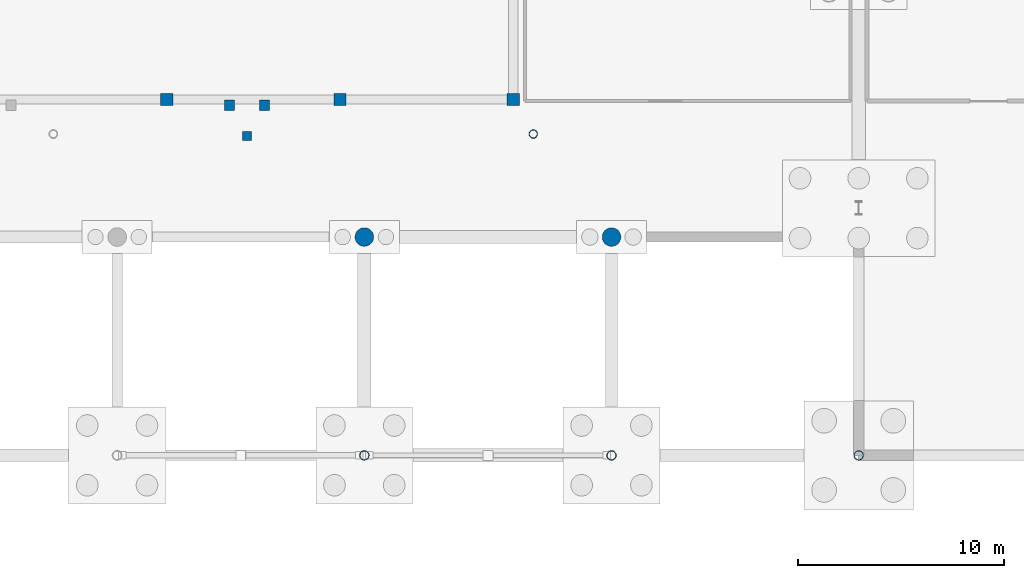
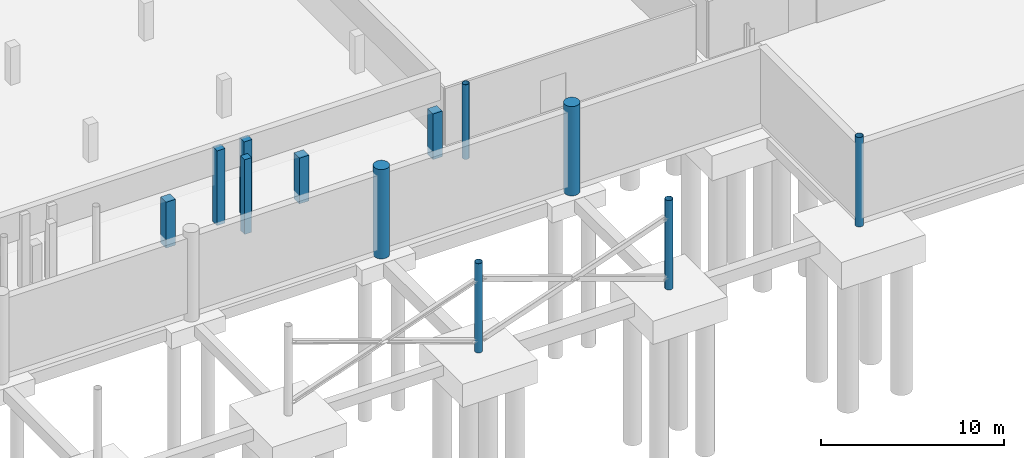
# One storey, part 13 of 42: 12 columns.
"""IFC4 building model written with IfcOpenShell, lengths in metres."""

from ifc_helpers import new_model, si_unit, direction, frame, origin, origin_2d, place, context, subcontext, project, spatial, rectangle, circle, hollow_circle, extrude, material, material_profile, profile_set, type_object, element, save


model = new_model("IFC4")

# Units and contexts
model_context = context("Model", 3, precision=1e-05, world=origin(), true_north=direction((0.0, 1.0)))
body_context = subcontext(model_context, "Body", "Model", "MODEL_VIEW")
ifc_project = project(units=[si_unit("LENGTHUNIT", "METRE"), si_unit("AREAUNIT", "SQUARE_METRE"), si_unit("VOLUMEUNIT", "CUBIC_METRE"), si_unit("PLANEANGLEUNIT", "RADIAN"), si_unit("MASSUNIT", "GRAM", prefix="KILO"), si_unit("THERMODYNAMICTEMPERATUREUNIT", "KELVIN"), si_unit("POWERUNIT", "WATT")], contexts=[model_context])

# Site, building, storey
site_placement = place(None, origin())
site = spatial("IfcSite", under=ifc_project, at=site_placement, CompositionType="ELEMENT")
building_placement = place(site_placement, origin())
building = spatial("IfcBuilding", under=site, at=building_placement, Name="Solmara Park Aquatics Centre", CompositionType="ELEMENT")
storey_placement = place(building_placement, frame((0.0, 0.0, -5.39990234375)))
storey = spatial("IfcBuildingStorey", under=building, at=storey_placement, Name="B1", CompositionType="ELEMENT", Elevation=-5.39990234375)

# Columns
ifc_material_1 = material(Name="Structural Steel S355", Category="steel")
ifc_material_profile_1 = material_profile(ifc_material_1, hollow_circle(Radius=0.203125, WallThickness=0.01611328125, at=origin_2d()), Name="CHS 406.4x16")
ifc_profile_set_1 = profile_set([ifc_material_profile_1], Name="Structural Steel S355")
column_type_1 = type_object("IfcColumnType", Name="STR-COL-CHS406", PredefinedType="COLUMN", material=ifc_profile_set_1)
column_1_placement = place(storey_placement, frame((80.800048828125, 28.199951171875, 0.0), z_axis=(0.0, 0.0, 1.0), x_axis=(1.0, 0.0, 0.0)))
element("IfcColumn", 1, at=column_1_placement, inside=storey, type_object=column_type_1, Name="Upper Stand Front Column B1 S2-2", PredefinedType="COLUMN", context=body_context, shape_type="SweptSolid", body=[
    extrude(hollow_circle(Radius=0.203125, WallThickness=0.01611328125, at=origin_2d()), origin(), (0.0, 0.0, 1.0), 4.97998046875),
])
ifc_material_profile_2 = material_profile(ifc_material_1, hollow_circle(Radius=0.228515625, WallThickness=0.01611328125, at=origin_2d()), Name="CHS 457x16")
ifc_profile_set_2 = profile_set([ifc_material_profile_2], Name="Structural Steel S355")
column_type_2 = type_object("IfcColumnType", Name="STR-COL-CHS457", PredefinedType="COLUMN", material=ifc_profile_set_2)
for number, where, z_axis, x_axis, name in (
    (2, (72.60009765625, 12.60009765625, -0.550048828125), (0.0, 0.0, 1.0), (1.0, 0.0, 0.0), "Column B1-0050"),
    (3, (84.60009765625, 12.60009765625, -0.550048828125), (0.0, 0.0, 1.0), (1.0, 0.0, 0.0), "Column B1-0058"),
    (4, (96.60009765625, 12.60009765625, -0.550048828125), (0.0, 0.0, 1.0), (1.0, 0.0, 0.0), "Column B1-0066"),
):
    element("IfcColumn", number, at=place(storey_placement, frame(where, z_axis=z_axis, x_axis=x_axis)), inside=storey, type_object=column_type_2, Name=name, PredefinedType="COLUMN", context=body_context, shape_type="SweptSolid", body=[
        extrude(hollow_circle(Radius=0.228515625, WallThickness=0.01611328125, at=origin_2d()), origin(), (0.0, 0.0, 1.0), 5.949951171875),
    ])
ifc_material_2 = material(Name="Concrete C40/50", Category="concrete")
ifc_material_profile_3 = material_profile(ifc_material_2, rectangle(XDim=0.449951171875, YDim=0.449951171875, at=origin_2d()), Name="RC 450x450")
ifc_profile_set_3 = profile_set([ifc_material_profile_3], Name="Concrete C40/50")
column_type_3 = type_object("IfcColumnType", Name="STR-COL-RC450", PredefinedType="COLUMN", material=ifc_profile_set_3)
column_2_placement = place(storey_placement, frame((66.89990234375, 28.10009765625, 0.0), z_axis=(0.0, 0.0, 1.0), x_axis=(1.0, 0.0, 0.0)))
element("IfcColumn", 5, at=column_2_placement, inside=storey, type_object=column_type_3, Name="Vomitory Stair VS-04 Support Column B1-3", PredefinedType="COLUMN", context=body_context, shape_type="SweptSolid", body=[
    extrude(rectangle(XDim=0.449951171875, YDim=0.449951171875, at=origin_2d()), origin(), (0.0, 0.0, 1.0), 4.97998046875),
])
ifc_material_profile_4 = material_profile(ifc_material_2, rectangle(XDim=0.5, YDim=0.5, at=origin_2d()), Name="RC 500x500")
ifc_profile_set_4 = profile_set([ifc_material_profile_4], Name="Concrete C40/50")
column_type_4 = type_object("IfcColumnType", Name="STR-COL-RC500", PredefinedType="COLUMN", material=ifc_profile_set_4)
for number, where, z_axis, x_axis, name in (
    (6, (66.050048828125, 29.60009765625, 0.0), (0.0, 0.0, 1.0), (1.0, 0.0, 0.0), "Vomitory B1 Support Column 07"),
    (7, (67.75, 29.60009765625, 0.0), (0.0, 0.0, 1.0), (1.0, 0.0, 0.0), "Vomitory B1 Support Column 08"),
):
    element("IfcColumn", number, at=place(storey_placement, frame(where, z_axis=z_axis, x_axis=x_axis)), inside=storey, type_object=column_type_4, Name=name, PredefinedType="COLUMN", context=body_context, shape_type="SweptSolid", body=[
        extrude(rectangle(XDim=0.5, YDim=0.5, at=origin_2d()), origin(), (0.0, 0.0, 1.0), 4.97998046875),
    ])
ifc_material_profile_5 = material_profile(ifc_material_2, rectangle(XDim=0.60009765625, YDim=0.60009765625, at=origin_2d()), Name="RC 600x600")
ifc_profile_set_5 = profile_set([ifc_material_profile_5], Name="Concrete C40/50")
column_type_5 = type_object("IfcColumnType", Name="STR-COL-RC600", PredefinedType="COLUMN", material=ifc_profile_set_5)
for number, where, z_axis, x_axis, name in (
    (8, (63.00830078125, 29.875, -0.550048828125), (0.0, 0.0, 1.0), (1.0, 0.0, 0.0), "Pool Tank Support Column 017"),
    (9, (71.416748046875, 29.875, -0.550048828125), (0.0, 0.0, 1.0), (1.0, 0.0, 0.0), "Pool Tank Support Column 021"),
    (10, (79.824951171875, 29.875, -0.550048828125), (0.0, 0.0, 1.0), (1.0, 0.0, 0.0), "Pool Tank Support Column 025"),
):
    element("IfcColumn", number, at=place(storey_placement, frame(where, z_axis=z_axis, x_axis=x_axis)), inside=storey, type_object=column_type_5, Name=name, PredefinedType="COLUMN", context=body_context, shape_type="SweptSolid", body=[
        extrude(rectangle(XDim=0.60009765625, YDim=0.60009765625, at=origin_2d()), origin(), (0.0, 0.0, 1.0), 3.050048828125),
    ])
ifc_material_profile_6 = material_profile(ifc_material_2, circle(Radius=0.449951171875, at=origin_2d()), Name="RC COL D900")
ifc_profile_set_6 = profile_set([ifc_material_profile_6], Name="Concrete C40/50")
column_type_6 = type_object("IfcColumnType", Name="STR-COL-RCD900", PredefinedType="COLUMN", material=ifc_profile_set_6)
for number, where, z_axis, x_axis, name in (
    (11, (72.60009765625, 23.199951171875, -0.550048828125), (0.0, 0.0, 1.0), (1.0, 0.0, 0.0), "Column B1-0051"),
    (12, (84.60009765625, 23.199951171875, -0.550048828125), (0.0, 0.0, 1.0), (1.0, 0.0, 0.0), "Column B1-0059"),
):
    element("IfcColumn", number, at=place(storey_placement, frame(where, z_axis=z_axis, x_axis=x_axis)), inside=storey, type_object=column_type_6, Name=name, PredefinedType="COLUMN", context=body_context, shape_type="SweptSolid", body=[
        extrude(circle(Radius=0.449951171875, at=origin_2d()), origin(), (0.0, 0.0, 1.0), 5.949951171875),
    ])

save(model, "model.ifc")
